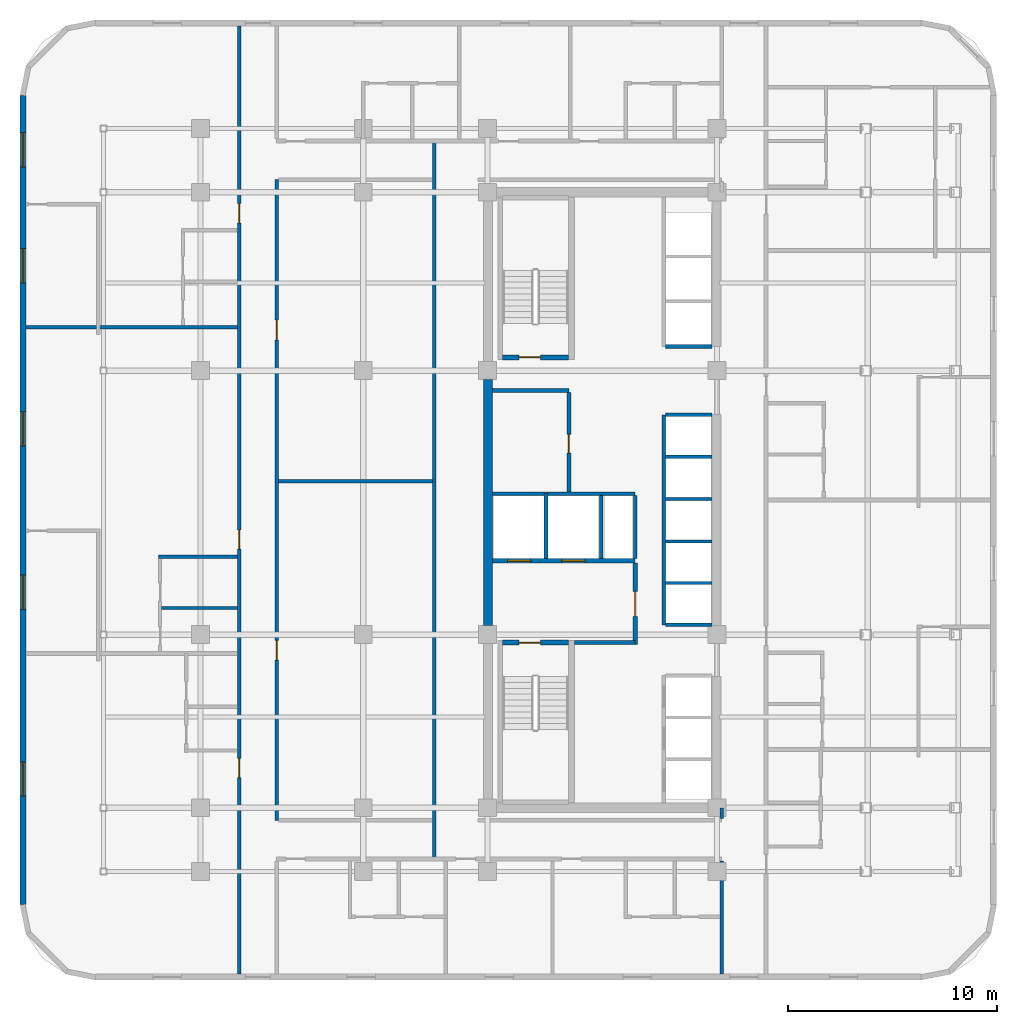
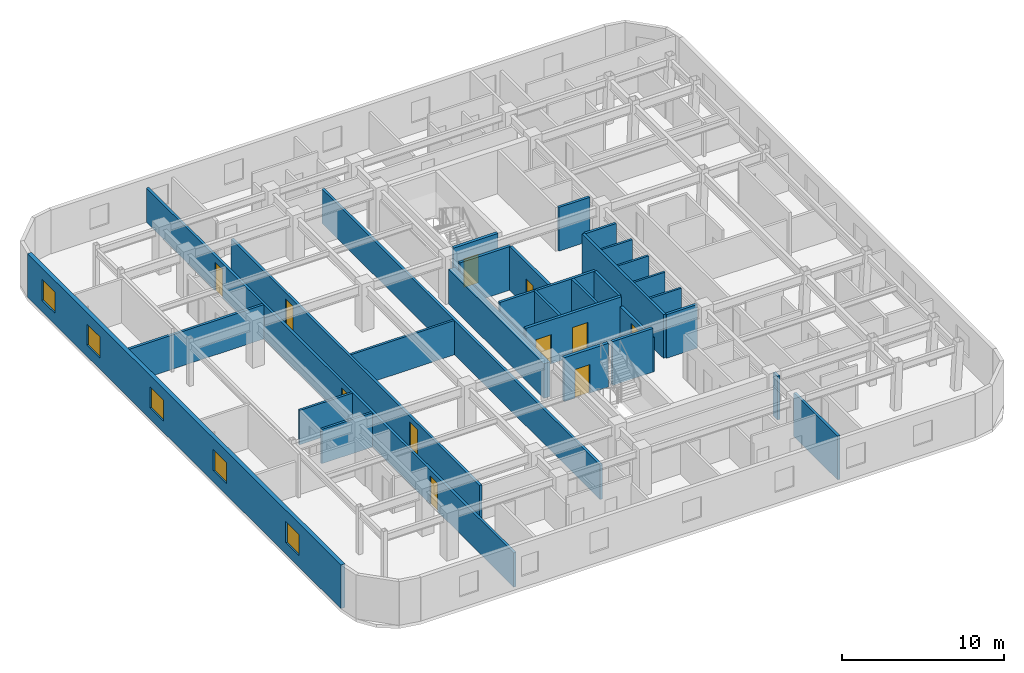
# One storey, part 7 of 11: 30 walls, 11 doors, 5 windows, 16 openings.
"""IFC4 building model written with IfcOpenShell, lengths in metres."""

from ifc_helpers import new_model, si_unit, direction, frame, frame_2d, origin, place, context, subcontext, project, spatial, rectangle, extrude, material, layer, layer_set, type_object, element, fill, save


model = new_model("IFC4")

# Units and contexts
model_context = context("Model", 3, precision=1e-05, world=origin(), true_north=direction((0.0, 1.0)))
body_context = subcontext(model_context, "Body", "Model", "MODEL_VIEW")
ifc_project = project(units=[si_unit("LENGTHUNIT", "METRE"), si_unit("AREAUNIT", "SQUARE_METRE"), si_unit("VOLUMEUNIT", "CUBIC_METRE"), si_unit("PLANEANGLEUNIT", "RADIAN"), si_unit("MASSUNIT", "GRAM", prefix="KILO")], contexts=[model_context])

# Site, building, storey
site_placement = place(None, origin())
site = spatial("IfcSite", under=ifc_project, at=site_placement, CompositionType="ELEMENT")
building_placement = place(site_placement, origin())
building = spatial("IfcBuilding", under=site, at=building_placement, Name="Ochreholt Gables", CompositionType="ELEMENT")
storey_placement = place(building_placement, frame((0.0, 0.0, 67.800048828125)))
storey = spatial("IfcBuildingStorey", under=building, at=storey_placement, Name="L17", CompositionType="ELEMENT", Elevation=67.800048828125)

# Wall
ifc_material_1 = material(Name="Concrete 60 MPa", Category="concrete")
ifc_layer_1 = layer(ifc_material_1, 0.449951171875, Name="Concrete 60 MPa")
ifc_layer_set_1 = layer_set([ifc_layer_1], Name="Concrete 60 MPa")
wall_type_1 = type_object("IfcWallType", Name="WALL-CSW-450", PredefinedType="SHEAR", material=ifc_layer_set_1)
wall_1_placement = place(storey_placement, frame((24.22509765625, 17.97509765625, 0.0), z_axis=(0.0, 0.0, 1.0), x_axis=(0.0, 1.0, 0.0)))
element("IfcWall", 1, at=wall_1_placement, inside=storey, type_object=wall_type_1, Name="L17 Core West Shear Wall WM", PredefinedType="SHEAR", context=body_context, shape_type="SweptSolid", body=[
    extrude(rectangle(XDim=11.7998046875, YDim=0.449951171875, at=frame_2d((5.89990234375, 0.0))), origin(), (0.0, 0.0, 1.0), 2.60693359375),
])

# Wall, openings, windows
ifc_material_2 = material(Name="Precast concrete 40 MPa", Category="concrete")
ifc_layer_2 = layer(ifc_material_2, 0.2900390625, Name="Precast concrete 40 MPa")
ifc_layer_set_2 = layer_set([ifc_layer_2], Name="Precast concrete 40 MPa")
wall_type_2 = type_object("IfcWallType", Name="WALL-EXT-290", PredefinedType="SOLIDWALL", material=ifc_layer_set_2)
wall_2_placement = place(storey_placement, frame((1.945068359375, 43.3798828125, 0.0), z_axis=(0.0, 0.0, 1.0), x_axis=(0.0, -1.0, 0.0)))
wall_2 = element("IfcWall", 2, at=wall_2_placement, inside=storey, type_object=wall_type_2, Name="L17 West Exterior Wall", PredefinedType="SOLIDWALL", context=body_context, shape_type="SweptSolid", body=[
    extrude(rectangle(XDim=38.759765625, YDim=0.2900390625, at=frame_2d((19.3798828125, 0.0))), origin(), (0.0, 0.0, 1.0), 3.300048828125),
])
opening_1_placement = place(wall_2_placement, frame((31.925048828125, 0.0, 0.85009765625)))
opening_1 = element("IfcOpeningElement", 3, at=opening_1_placement, cuts=wall_2, Name="Opening WN-7", PredefinedType="OPENING", context=body_context, shape_type="SweptSolid", body=[
    extrude(rectangle(XDim=1.64990234375, YDim=1.60009765625, at=frame_2d((0.824951171875, 0.800048828125))), frame((0.0, 0.155029296875, 0.0), z_axis=(0.0, -1.0, 0.0), x_axis=(1.0, 0.0, 0.0)), (0.0, 0.0, 1.0), 0.31005859375),
])
opening_2_placement = place(wall_2_placement, frame((22.969970703125, 0.0, 0.85009765625)))
opening_2 = element("IfcOpeningElement", 4, at=opening_2_placement, cuts=wall_2, Name="Opening WN-7", PredefinedType="OPENING", context=body_context, shape_type="SweptSolid", body=[
    extrude(rectangle(XDim=1.64990234375, YDim=1.60009765625, at=frame_2d((0.824951171875, 0.800048828125))), frame((0.0, 0.155029296875, 0.0), z_axis=(0.0, -1.0, 0.0), x_axis=(1.0, 0.0, 0.0)), (0.0, 0.0, 1.0), 0.31005859375),
])
opening_3_placement = place(wall_2_placement, frame((15.14990234375, 0.0, 0.85009765625)))
opening_3 = element("IfcOpeningElement", 5, at=opening_3_placement, cuts=wall_2, Name="Opening WN-7", PredefinedType="OPENING", context=body_context, shape_type="SweptSolid", body=[
    extrude(rectangle(XDim=1.64990234375, YDim=1.60009765625, at=frame_2d((0.824951171875, 0.800048828125))), frame((0.0, 0.155029296875, 0.0), z_axis=(0.0, -1.0, 0.0), x_axis=(1.0, 0.0, 0.0)), (0.0, 0.0, 1.0), 0.31005859375),
])
opening_4_placement = place(wall_2_placement, frame((7.330078125, 0.0, 0.85009765625)))
opening_4 = element("IfcOpeningElement", 6, at=opening_4_placement, cuts=wall_2, Name="Opening WN-7", PredefinedType="OPENING", context=body_context, shape_type="SweptSolid", body=[
    extrude(rectangle(XDim=1.64990234375, YDim=1.60009765625, at=frame_2d((0.824951171875, 0.800048828125))), frame((0.0, 0.155029296875, 0.0), z_axis=(0.0, -1.0, 0.0), x_axis=(1.0, 0.0, 0.0)), (0.0, 0.0, 1.0), 0.31005859375),
])
opening_5_placement = place(wall_2_placement, frame((1.780029296875, 0.0, 0.85009765625)))
opening_5 = element("IfcOpeningElement", 7, at=opening_5_placement, cuts=wall_2, Name="Opening WN-7", PredefinedType="OPENING", context=body_context, shape_type="SweptSolid", body=[
    extrude(rectangle(XDim=1.64990234375, YDim=1.60009765625, at=frame_2d((0.824951171875, 0.800048828125))), frame((0.0, 0.155029296875, 0.0), z_axis=(0.0, -1.0, 0.0), x_axis=(1.0, 0.0, 0.0)), (0.0, 0.0, 1.0), 0.31005859375),
])
ifc_material_3 = material(Name="Triple-Glazed Thermally Broken Aluminium Window", Category="aluminium")
window_type = type_object("IfcWindowType", Name="WIN-RES-1650", PartitioningType="SINGLE_PANEL", PredefinedType="WINDOW", material=ifc_material_3)
window_1_placement = place(opening_1_placement, origin())
window_1 = element("IfcWindow", 8, at=window_1_placement, inside=storey, type_object=window_type, Name="L17 Window W-EXT-W-L17-1", OverallHeight=1.60009765625, OverallWidth=1.64990234375, PartitioningType="SINGLE_PANEL", PredefinedType="WINDOW", context=body_context, shape_type="SweptSolid", body=[
    extrude(rectangle(XDim=1.64990234375, YDim=1.60009765625, at=frame_2d((0.824951171875, 0.800048828125))), frame((0.0, 0.030029296875, 0.0), z_axis=(0.0, -1.0, 0.0), x_axis=(1.0, 0.0, 0.0)), (0.0, 0.0, 1.0), 0.06005859375),
])
fill(opening_1, window_1)
window_2_placement = place(opening_2_placement, origin())
window_2 = element("IfcWindow", 9, at=window_2_placement, inside=storey, type_object=window_type, Name="L17 Window W-EXT-W-L17-2", OverallHeight=1.60009765625, OverallWidth=1.64990234375, PartitioningType="SINGLE_PANEL", PredefinedType="WINDOW", context=body_context, shape_type="SweptSolid", body=[
    extrude(rectangle(XDim=1.64990234375, YDim=1.60009765625, at=frame_2d((0.824951171875, 0.800048828125))), frame((0.0, 0.030029296875, 0.0), z_axis=(0.0, -1.0, 0.0), x_axis=(1.0, 0.0, 0.0)), (0.0, 0.0, 1.0), 0.06005859375),
])
fill(opening_2, window_2)
window_3_placement = place(opening_3_placement, origin())
window_3 = element("IfcWindow", 10, at=window_3_placement, inside=storey, type_object=window_type, Name="L17 Window W-EXT-W-L17-3", OverallHeight=1.60009765625, OverallWidth=1.64990234375, PartitioningType="SINGLE_PANEL", PredefinedType="WINDOW", context=body_context, shape_type="SweptSolid", body=[
    extrude(rectangle(XDim=1.64990234375, YDim=1.60009765625, at=frame_2d((0.824951171875, 0.800048828125))), frame((0.0, 0.030029296875, 0.0), z_axis=(0.0, -1.0, 0.0), x_axis=(1.0, 0.0, 0.0)), (0.0, 0.0, 1.0), 0.06005859375),
])
fill(opening_3, window_3)
window_4_placement = place(opening_4_placement, origin())
window_4 = element("IfcWindow", 11, at=window_4_placement, inside=storey, type_object=window_type, Name="L17 Window W-EXT-W-L17-4", OverallHeight=1.60009765625, OverallWidth=1.64990234375, PartitioningType="SINGLE_PANEL", PredefinedType="WINDOW", context=body_context, shape_type="SweptSolid", body=[
    extrude(rectangle(XDim=1.64990234375, YDim=1.60009765625, at=frame_2d((0.824951171875, 0.800048828125))), frame((0.0, 0.030029296875, 0.0), z_axis=(0.0, -1.0, 0.0), x_axis=(1.0, 0.0, 0.0)), (0.0, 0.0, 1.0), 0.06005859375),
])
fill(opening_4, window_4)
window_5_placement = place(opening_5_placement, origin())
window_5 = element("IfcWindow", 12, at=window_5_placement, inside=storey, type_object=window_type, Name="L17 Window W-EXT-W-L17-5", OverallHeight=1.60009765625, OverallWidth=1.64990234375, PartitioningType="SINGLE_PANEL", PredefinedType="WINDOW", context=body_context, shape_type="SweptSolid", body=[
    extrude(rectangle(XDim=1.64990234375, YDim=1.60009765625, at=frame_2d((0.824951171875, 0.800048828125))), frame((0.0, 0.030029296875, 0.0), z_axis=(0.0, -1.0, 0.0), x_axis=(1.0, 0.0, 0.0)), (0.0, 0.0, 1.0), 0.06005859375),
])
fill(opening_5, window_5)

# Wall, openings, doors
ifc_material_4 = material(Name="Concrete 40 MPa", Category="concrete")
ifc_layer_3 = layer(ifc_material_4, 0.199951171875, Name="Concrete 40 MPa")
ifc_layer_set_3 = layer_set([ifc_layer_3], Name="Concrete 40 MPa")
wall_type_3 = type_object("IfcWallType", Name="WALL-INT-CF200", PredefinedType="STANDARD", material=ifc_layer_set_3)
wall_3_placement = place(storey_placement, frame((24.449951171875, 21.090087890625, 0.0), z_axis=(0.0, 0.0, 1.0), x_axis=(1.0, 0.0, 0.0)))
wall_3 = element("IfcWall", 13, at=wall_3_placement, inside=storey, type_object=wall_type_3, Name="L17 Interior Wall WI-FFN-L17", PredefinedType="STANDARD", context=body_context, shape_type="SweptSolid", body=[
    extrude(rectangle(XDim=6.830078125, YDim=0.199951171875, at=frame_2d((3.4150390625, 0.0))), origin(), (0.0, 0.0, 1.0), 3.300048828125),
])
opening_6_placement = place(wall_3_placement, frame((0.719970703125, 0.0, 0.0)))
opening_6 = element("IfcOpeningElement", 14, at=opening_6_placement, cuts=wall_3, Name="Opening LD-FF", PredefinedType="OPENING", context=body_context, shape_type="SweptSolid", body=[
    extrude(rectangle(XDim=1.10009765625, YDim=2.199951171875, at=frame_2d((0.550048828125, 1.10009765625))), frame((0.0, 0.10986328125, 0.0), z_axis=(0.0, -1.0, 0.0), x_axis=(1.0, 0.0, 0.0)), (0.0, 0.0, 1.0), 0.219970703125),
])
opening_7_placement = place(wall_3_placement, frame((3.320068359375, 0.0, 0.0)))
opening_7 = element("IfcOpeningElement", 15, at=opening_7_placement, cuts=wall_3, Name="Opening LD-FF", PredefinedType="OPENING", context=body_context, shape_type="SweptSolid", body=[
    extrude(rectangle(XDim=1.10009765625, YDim=2.199951171875, at=frame_2d((0.550048828125, 1.10009765625))), frame((0.0, 0.10986328125, 0.0), z_axis=(0.0, -1.0, 0.0), x_axis=(1.0, 0.0, 0.0)), (0.0, 0.0, 1.0), 0.219970703125),
])
ifc_material_5 = material(Name="Stainless Steel", Category="steel")
door_type_1 = type_object("IfcDoorType", Name="DR-LFT-FF1100", OperationType="NOTDEFINED", PredefinedType="DOOR", material=ifc_material_5)
door_1_placement = place(opening_6_placement, origin())
door_1 = element("IfcDoor", 16, at=door_1_placement, inside=storey, type_object=door_type_1, Name="L17 Door LD-FF1-L17", OperationType="SLIDING_TO_LEFT", OverallHeight=2.199951171875, OverallWidth=1.10009765625, PredefinedType="DOOR", context=body_context, shape_type="SweptSolid", body=[
    extrude(rectangle(XDim=1.10009765625, YDim=2.199951171875, at=frame_2d((0.550048828125, 1.10009765625))), frame((0.0, 0.02490234375, 0.0), z_axis=(0.0, -1.0, 0.0), x_axis=(1.0, 0.0, 0.0)), (0.0, 0.0, 1.0), 0.050048828125),
])
fill(opening_6, door_1)
door_2_placement = place(opening_7_placement, origin())
door_2 = element("IfcDoor", 17, at=door_2_placement, inside=storey, type_object=door_type_1, Name="L17 Door LD-FF2-L17", OperationType="SLIDING_TO_LEFT", OverallHeight=2.199951171875, OverallWidth=1.10009765625, PredefinedType="DOOR", context=body_context, shape_type="SweptSolid", body=[
    extrude(rectangle(XDim=1.10009765625, YDim=2.199951171875, at=frame_2d((0.550048828125, 1.10009765625))), frame((0.0, 0.02490234375, 0.0), z_axis=(0.0, -1.0, 0.0), x_axis=(1.0, 0.0, 0.0)), (0.0, 0.0, 1.0), 0.050048828125),
])
fill(opening_7, door_2)

# Wall
wall_4_placement = place(storey_placement, frame((28.3798828125, 17.169921875, 0.0), z_axis=(0.0, 0.0, 1.0), x_axis=(1.0, 0.0, 0.0)))
element("IfcWall", 18, at=wall_4_placement, inside=storey, type_object=wall_type_3, Name="L17 Interior Wall WI-FFS-L17", PredefinedType="STANDARD", context=body_context, shape_type="SweptSolid", body=[
    extrude(rectangle(XDim=2.900146484375, YDim=0.199951171875, at=frame_2d((1.4501953125, 0.0))), origin(), (0.0, 0.0, 1.0), 3.300048828125),
])

# Wall, opening, door
wall_5_placement = place(storey_placement, frame((31.280029296875, 17.070068359375, 0.0), z_axis=(0.0, 0.0, 1.0), x_axis=(0.0, 1.0, 0.0)))
wall_5 = element("IfcWall", 19, at=wall_5_placement, inside=storey, type_object=wall_type_3, Name="L17 Interior Wall WI-FFE-L17", PredefinedType="STANDARD", context=body_context, shape_type="SweptSolid", body=[
    extrude(rectangle(XDim=3.919921875, YDim=0.199951171875, at=frame_2d((1.9599609375, 0.0))), origin(), (0.0, 0.0, 1.0), 2.5888671875),
])
opening_8_placement = place(wall_5_placement, frame((1.35009765625, 0.0, 0.0)))
opening_8 = element("IfcOpeningElement", 20, at=opening_8_placement, cuts=wall_5, Name="Opening D-FFL", PredefinedType="OPENING", context=body_context, shape_type="SweptSolid", body=[
    extrude(rectangle(XDim=1.199951171875, YDim=2.14990234375, at=frame_2d((0.60009765625, 1.074951171875))), frame((0.0, 0.10986328125, 0.0), z_axis=(0.0, -1.0, 0.0), x_axis=(1.0, 0.0, 0.0)), (0.0, 0.0, 1.0), 0.219970703125),
])
ifc_material_6 = material(Name="Hollow Metal Steel", Category="steel")
door_type_2 = type_object("IfcDoorType", Name="DR-INT-FFL1200", OperationType="NOTDEFINED", PredefinedType="DOOR", material=ifc_material_6)
door_3_placement = place(opening_8_placement, origin())
door_3 = element("IfcDoor", 21, at=door_3_placement, inside=storey, type_object=door_type_2, Name="L17 Door D-FFL-L17", OperationType="SINGLE_SWING_LEFT", OverallHeight=2.14990234375, OverallWidth=1.199951171875, PredefinedType="DOOR", context=body_context, shape_type="SweptSolid", body=[
    extrude(rectangle(XDim=1.199951171875, YDim=2.14990234375, at=frame_2d((0.60009765625, 1.074951171875))), frame((0.0, 0.02490234375, 0.0), z_axis=(0.0, -1.0, 0.0), x_axis=(1.0, 0.0, 0.0)), (0.0, 0.0, 1.0), 0.050048828125),
])
fill(opening_8, door_3)

# Wall
wall_6_placement = place(storey_placement, frame((24.449951171875, 29.239990234375, 0.0), z_axis=(0.0, 0.0, 1.0), x_axis=(1.0, 0.0, 0.0)))
element("IfcWall", 22, at=wall_6_placement, inside=storey, type_object=wall_type_3, Name="L17 Interior Wall WI-SRVN-L17", PredefinedType="STANDARD", context=body_context, shape_type="SweptSolid", body=[
    extrude(rectangle(XDim=3.650146484375, YDim=0.199951171875, at=frame_2d((1.8251953125, 0.0))), origin(), (0.0, 0.0, 1.0), 3.300048828125),
])

# Wall, opening, door
wall_7_placement = place(storey_placement, frame((28.10009765625, 24.389892578125, 0.0), z_axis=(0.0, 0.0, 1.0), x_axis=(0.0, 1.0, 0.0)))
wall_7 = element("IfcWall", 23, at=wall_7_placement, inside=storey, type_object=wall_type_3, Name="L17 Interior Wall WI-SRVE-L17", PredefinedType="STANDARD", context=body_context, shape_type="SweptSolid", body=[
    extrude(rectangle(XDim=4.75, YDim=0.199951171875, at=frame_2d((2.375, 0.0))), origin(), (0.0, 0.0, 1.0), 3.300048828125),
])
opening_9_placement = place(wall_7_placement, frame((1.860107421875, 0.0, 0.0)))
opening_9 = element("IfcOpeningElement", 24, at=opening_9_placement, cuts=wall_7, Name="Opening D-SV1", PredefinedType="OPENING", context=body_context, shape_type="SweptSolid", body=[
    extrude(rectangle(XDim=0.89990234375, YDim=2.10009765625, at=frame_2d((0.449951171875, 1.050048828125))), frame((0.0, 0.10986328125, 0.0), z_axis=(0.0, -1.0, 0.0), x_axis=(1.0, 0.0, 0.0)), (0.0, 0.0, 1.0), 0.219970703125),
])
door_type_3 = type_object("IfcDoorType", Name="DR-INT-SRV900", OperationType="NOTDEFINED", PredefinedType="DOOR", material=ifc_material_6)
door_4_placement = place(opening_9_placement, origin())
door_4 = element("IfcDoor", 25, at=door_4_placement, inside=storey, type_object=door_type_3, Name="L17 Door D-SRV1-L17", OperationType="SINGLE_SWING_LEFT", OverallHeight=2.10009765625, OverallWidth=0.89990234375, PredefinedType="DOOR", context=body_context, shape_type="SweptSolid", body=[
    extrude(rectangle(XDim=0.89990234375, YDim=2.10009765625, at=frame_2d((0.449951171875, 1.050048828125))), frame((0.0, 0.02490234375, 0.0), z_axis=(0.0, -1.0, 0.0), x_axis=(1.0, 0.0, 0.0)), (0.0, 0.0, 1.0), 0.050048828125),
])
fill(opening_9, door_4)

# Walls
ifc_material_7 = material(Name="Fire-Rated Gypsum Acoustic Partition", Category="gypsum")
ifc_layer_4 = layer(ifc_material_7, 0.179931640625, Name="Fire-Rated Gypsum Acoustic Partition")
ifc_layer_set_4 = layer_set([ifc_layer_4], Name="Fire-Rated Gypsum Acoustic Partition")
wall_type_4 = type_object("IfcWallType", Name="WALL-INT-CR180", PredefinedType="STANDARD", material=ifc_layer_set_4)
wall_8_placement = place(storey_placement, frame((21.64990234375, 6.800048828125, 0.0), z_axis=(0.0, 0.0, 1.0), x_axis=(0.0, 1.0, 0.0)))
element("IfcWall", 26, at=wall_8_placement, inside=storey, type_object=wall_type_4, Name="L17 Interior Wall WI-C1W-L17", PredefinedType="STANDARD", context=body_context, shape_type="SweptSolid", body=[
    extrude(rectangle(XDim=34.39990234375, YDim=0.179931640625, at=frame_2d((17.199951171875, 0.0))), origin(), (0.0, 0.0, 1.0), 2.5888671875),
])
wall_9_placement = place(storey_placement, frame((35.419921875, 8.739990234375, 0.0), z_axis=(0.0, 0.0, 1.0), x_axis=(0.0, 1.0, 0.0)))
element("IfcWall", 27, at=wall_9_placement, inside=storey, type_object=wall_type_4, Name="L17 Interior Wall WI-C1ESW2-L17", PredefinedType="STANDARD", context=body_context, shape_type="SweptSolid", body=[
    extrude(rectangle(XDim=0.510009765625, YDim=0.179931640625, at=frame_2d((0.2548828125, 0.0))), origin(), (0.0, 0.0, 1.0), 3.300048828125),
])

# Wall, openings, doors
wall_10_placement = place(storey_placement, frame((12.300048828125, 1.2900390625, 0.0), z_axis=(0.0, 0.0, 1.0), x_axis=(0.0, 1.0, 0.0)))
wall_10 = element("IfcWall", 28, at=wall_10_placement, inside=storey, type_object=wall_type_4, Name="L17 Interior Wall WI-C1WW-L17", PredefinedType="STANDARD", context=body_context, shape_type="SweptSolid", body=[
    extrude(rectangle(XDim=45.419921875, YDim=0.179931640625, at=frame_2d((22.7099609375, 0.0))), origin(), (0.0, 0.0, 1.0), 2.5888671875),
])
opening_10_placement = place(wall_10_placement, frame((9.409912109375, 0.0, 0.0)))
opening_10 = element("IfcOpeningElement", 29, at=opening_10_placement, cuts=wall_10, Name="Opening D-UN1", PredefinedType="OPENING", context=body_context, shape_type="SweptSolid", body=[
    extrude(rectangle(XDim=0.919921875, YDim=2.14990234375, at=frame_2d((0.4599609375, 1.074951171875))), frame((0.0, 0.099853515625, 0.0), z_axis=(0.0, -1.0, 0.0), x_axis=(1.0, 0.0, 0.0)), (0.0, 0.0, 1.0), 0.199951171875),
])
opening_11_placement = place(wall_10_placement, frame((20.35009765625, 0.0, 0.0)))
opening_11 = element("IfcOpeningElement", 30, at=opening_11_placement, cuts=wall_10, Name="Opening D-UN1", PredefinedType="OPENING", context=body_context, shape_type="SweptSolid", body=[
    extrude(rectangle(XDim=0.919921875, YDim=2.14990234375, at=frame_2d((0.4599609375, 1.074951171875))), frame((0.0, 0.099853515625, 0.0), z_axis=(0.0, -1.0, 0.0), x_axis=(1.0, 0.0, 0.0)), (0.0, 0.0, 1.0), 0.199951171875),
])
opening_12_placement = place(wall_10_placement, frame((35.989990234375, 0.0, 0.0)))
opening_12 = element("IfcOpeningElement", 31, at=opening_12_placement, cuts=wall_10, Name="Opening D-UN1", PredefinedType="OPENING", context=body_context, shape_type="SweptSolid", body=[
    extrude(rectangle(XDim=0.919921875, YDim=2.14990234375, at=frame_2d((0.4599609375, 1.074951171875))), frame((0.0, 0.099853515625, 0.0), z_axis=(0.0, -1.0, 0.0), x_axis=(1.0, 0.0, 0.0)), (0.0, 0.0, 1.0), 0.199951171875),
])
ifc_material_8 = material(Name="Engineered Oak Timber", Category="wood")
door_type_4 = type_object("IfcDoorType", Name="DR-INT-UNT920", OperationType="NOTDEFINED", PredefinedType="DOOR", material=ifc_material_8)
door_5_placement = place(opening_10_placement, origin())
door_5 = element("IfcDoor", 32, at=door_5_placement, inside=storey, type_object=door_type_4, Name="L17 Door D-U-L17W1-ENT", OperationType="SINGLE_SWING_RIGHT", OverallHeight=2.14990234375, OverallWidth=0.919921875, PredefinedType="DOOR", context=body_context, shape_type="SweptSolid", body=[
    extrude(rectangle(XDim=0.919921875, YDim=2.14990234375, at=frame_2d((0.4599609375, 1.074951171875))), frame((0.0, 0.02490234375, 0.0), z_axis=(0.0, -1.0, 0.0), x_axis=(1.0, 0.0, 0.0)), (0.0, 0.0, 1.0), 0.050048828125),
])
fill(opening_10, door_5)
door_6_placement = place(opening_11_placement, origin())
door_6 = element("IfcDoor", 33, at=door_6_placement, inside=storey, type_object=door_type_4, Name="L17 Door D-U-L17W2-ENT", OperationType="SINGLE_SWING_LEFT", OverallHeight=2.14990234375, OverallWidth=0.919921875, PredefinedType="DOOR", context=body_context, shape_type="SweptSolid", body=[
    extrude(rectangle(XDim=0.919921875, YDim=2.14990234375, at=frame_2d((0.4599609375, 1.074951171875))), frame((0.0, 0.02490234375, 0.0), z_axis=(0.0, -1.0, 0.0), x_axis=(1.0, 0.0, 0.0)), (0.0, 0.0, 1.0), 0.050048828125),
])
fill(opening_11, door_6)
door_7_placement = place(opening_12_placement, origin())
door_7 = element("IfcDoor", 34, at=door_7_placement, inside=storey, type_object=door_type_4, Name="L17 Door D-U-L17W3-ENT", OperationType="SINGLE_SWING_RIGHT", OverallHeight=2.14990234375, OverallWidth=0.919921875, PredefinedType="DOOR", context=body_context, shape_type="SweptSolid", body=[
    extrude(rectangle(XDim=0.919921875, YDim=2.14990234375, at=frame_2d((0.4599609375, 1.074951171875))), frame((0.0, 0.02490234375, 0.0), z_axis=(0.0, -1.0, 0.0), x_axis=(1.0, 0.0, 0.0)), (0.0, 0.0, 1.0), 0.050048828125),
])
fill(opening_12, door_7)

wall_11_placement = place(storey_placement, frame((14.10009765625, 8.64990234375, 0.0), z_axis=(0.0, 0.0, 1.0), x_axis=(0.0, 1.0, 0.0)))
wall_11 = element("IfcWall", 35, at=wall_11_placement, inside=storey, type_object=wall_type_4, Name="L17 Interior Wall WI-C1WE-L17", PredefinedType="STANDARD", context=body_context, shape_type="SweptSolid", body=[
    extrude(rectangle(XDim=30.7001953125, YDim=0.179931640625, at=frame_2d((15.35009765625, 0.0))), origin(), (0.0, 0.0, 1.0), 2.5888671875),
])
opening_13_placement = place(wall_11_placement, frame((7.675048828125, 0.0, 0.0)))
opening_13 = element("IfcOpeningElement", 36, at=opening_13_placement, cuts=wall_11, Name="Opening D-GN1", PredefinedType="OPENING", context=body_context, shape_type="SweptSolid", body=[
    extrude(rectangle(XDim=0.949951171875, YDim=2.14990234375, at=frame_2d((0.47509765625, 1.074951171875))), frame((0.0, 0.099853515625, 0.0), z_axis=(0.0, -1.0, 0.0), x_axis=(1.0, 0.0, 0.0)), (0.0, 0.0, 1.0), 0.199951171875),
])
opening_14_placement = place(wall_11_placement, frame((23.02490234375, 0.0, 0.0)))
opening_14 = element("IfcOpeningElement", 37, at=opening_14_placement, cuts=wall_11, Name="Opening D-GN1", PredefinedType="OPENING", context=body_context, shape_type="SweptSolid", body=[
    extrude(rectangle(XDim=0.949951171875, YDim=2.14990234375, at=frame_2d((0.47509765625, 1.074951171875))), frame((0.0, 0.099853515625, 0.0), z_axis=(0.0, -1.0, 0.0), x_axis=(1.0, 0.0, 0.0)), (0.0, 0.0, 1.0), 0.199951171875),
])
door_type_5 = type_object("IfcDoorType", Name="DR-INT-GEN950", OperationType="NOTDEFINED", PredefinedType="DOOR", material=ifc_material_8)
door_8_placement = place(opening_13_placement, origin())
door_8 = element("IfcDoor", 38, at=door_8_placement, inside=storey, type_object=door_type_5, Name="L17 Door D-C1IW1-L17", OperationType="SINGLE_SWING_LEFT", OverallHeight=2.14990234375, OverallWidth=0.949951171875, PredefinedType="DOOR", context=body_context, shape_type="SweptSolid", body=[
    extrude(rectangle(XDim=0.949951171875, YDim=2.14990234375, at=frame_2d((0.47509765625, 1.074951171875))), frame((0.0, 0.02490234375, 0.0), z_axis=(0.0, -1.0, 0.0), x_axis=(1.0, 0.0, 0.0)), (0.0, 0.0, 1.0), 0.050048828125),
])
fill(opening_13, door_8)
door_9_placement = place(opening_14_placement, origin())
door_9 = element("IfcDoor", 39, at=door_9_placement, inside=storey, type_object=door_type_5, Name="L17 Door D-C1IW2-L17", OperationType="SINGLE_SWING_RIGHT", OverallHeight=2.14990234375, OverallWidth=0.949951171875, PredefinedType="DOOR", context=body_context, shape_type="SweptSolid", body=[
    extrude(rectangle(XDim=0.949951171875, YDim=2.14990234375, at=frame_2d((0.47509765625, 1.074951171875))), frame((0.0, 0.02490234375, 0.0), z_axis=(0.0, -1.0, 0.0), x_axis=(1.0, 0.0, 0.0)), (0.0, 0.0, 1.0), 0.050048828125),
])
fill(opening_14, door_9)

# Walls
ifc_material_9 = material(Name="Double-Stud Acoustic Demising Wall", Category="gypsum")
ifc_layer_5 = layer(ifc_material_9, 0.179931640625, Name="Double-Stud Acoustic Demising Wall")
ifc_layer_set_5 = layer_set([ifc_layer_5], Name="Double-Stud Acoustic Demising Wall")
wall_type_5 = type_object("IfcWallType", Name="WALL-INT-DM180", PredefinedType="PARTITIONING", material=ifc_layer_set_5)
wall_12_placement = place(storey_placement, frame((35.419921875, 1.2900390625, 0.0), z_axis=(0.0, 0.0, 1.0), x_axis=(0.0, 1.0, 0.0)))
element("IfcWall", 40, at=wall_12_placement, inside=storey, type_object=wall_type_5, Name="L17 Interior Wall WI-C1ESW-L17", PredefinedType="PARTITIONING", context=body_context, shape_type="SweptSolid", body=[
    extrude(rectangle(XDim=5.419921875, YDim=0.179931640625, at=frame_2d((2.7099609375, 0.0))), origin(), (0.0, 0.0, 1.0), 3.300048828125),
])
wall_13_placement = place(storey_placement, frame((2.090087890625, 32.280029296875, 0.0), z_axis=(0.0, 0.0, 1.0), x_axis=(1.0, 0.0, 0.0)))
element("IfcWall", 41, at=wall_13_placement, inside=storey, type_object=wall_type_5, Name="L17 Interior Wall WI-UDW3-L17", PredefinedType="PARTITIONING", context=body_context, shape_type="SweptSolid", body=[
    extrude(rectangle(XDim=10.119873046875, YDim=0.179931640625, at=frame_2d((5.06005859375, 0.0))), origin(), (0.0, 0.0, 1.0), 2.5888671875),
])
ifc_material_10 = material(Name="Moisture-Resistant Plumbing Chase Wall", Category="gypsum")
ifc_layer_6 = layer(ifc_material_10, 0.159912109375, Name="Moisture-Resistant Plumbing Chase Wall")
ifc_layer_set_6 = layer_set([ifc_layer_6], Name="Moisture-Resistant Plumbing Chase Wall")
wall_type_6 = type_object("IfcWallType", Name="WALL-INT-PL160", PredefinedType="PLUMBINGWALL", material=ifc_layer_set_6)
wall_14_placement = place(storey_placement, frame((8.429931640625, 21.280029296875, 0.0), z_axis=(0.0, 0.0, 1.0), x_axis=(1.0, 0.0, 0.0)))
element("IfcWall", 42, at=wall_14_placement, inside=storey, type_object=wall_type_6, Name="L17 Interior Wall WU-L17W2-WYN", PredefinedType="PLUMBINGWALL", context=body_context, shape_type="SweptSolid", body=[
    extrude(rectangle(XDim=3.780029296875, YDim=0.159912109375, at=frame_2d((1.89013671875, 0.0))), origin(), (0.0, 0.0, 1.0), 2.5888671875),
])
wall_15_placement = place(storey_placement, frame((8.590087890625, 18.822998046875, 0.0), z_axis=(0.0, 0.0, 1.0), x_axis=(1.0, 0.0, 0.0)))
element("IfcWall", 43, at=wall_15_placement, inside=storey, type_object=wall_type_6, Name="L17 Interior Wall WU-L17W2-WM", PredefinedType="PLUMBINGWALL", context=body_context, shape_type="SweptSolid", body=[
    extrude(rectangle(XDim=3.619873046875, YDim=0.159912109375, at=frame_2d((1.81005859375, 0.0))), origin(), (0.0, 0.0, 1.0), 2.5888671875),
])
ifc_material_11 = material(Name="Gypsum Acoustic Stud Partition", Category="gypsum")
ifc_layer_7 = layer(ifc_material_11, 0.159912109375, Name="Gypsum Acoustic Stud Partition")
ifc_layer_set_7 = layer_set([ifc_layer_7], Name="Gypsum Acoustic Stud Partition")
wall_type_7 = type_object("IfcWallType", Name="WALL-INT-PT160", PredefinedType="PARTITIONING", material=ifc_layer_set_7)
wall_16_placement = place(storey_placement, frame((14.18994140625, 24.89990234375, 0.0), z_axis=(0.0, 0.0, 1.0), x_axis=(1.0, 0.0, 0.0)))
element("IfcWall", 44, at=wall_16_placement, inside=storey, type_object=wall_type_7, Name="L17 Interior Wall WI-UDWI1-L17", PredefinedType="PARTITIONING", context=body_context, shape_type="SweptSolid", body=[
    extrude(rectangle(XDim=7.3701171875, YDim=0.159912109375, at=frame_2d((3.68505859375, 0.0))), origin(), (0.0, 0.0, 1.0), 2.5888671875),
])
ifc_material_12 = material(Name="Gypsum Shaftliner and Steel Stud", Category="steel")
ifc_layer_8 = layer(ifc_material_12, 0.14990234375, Name="Gypsum Shaftliner and Steel Stud")
ifc_layer_set_8 = layer_set([ifc_layer_8], Name="Gypsum Shaftliner and Steel Stud")
wall_type_8 = type_object("IfcWallType", Name="WALL-INT-SH150", PredefinedType="STANDARD", material=ifc_layer_set_8)
for number, where, z_axis, x_axis, name in (
    (45, (32.739990234375, 20.02001953125, 0.0), (0.0, 0.0, 1.0), (1.0, 0.0, 0.0), "L17 Interior Wall WI-LFHE-DH1-L17"),
    (46, (32.739990234375, 22.02001953125, 0.0), (0.0, 0.0, 1.0), (1.0, 0.0, 0.0), "L17 Interior Wall WI-LFHE-DH2-L17"),
    (47, (32.739990234375, 24.050048828125, 0.0), (0.0, 0.0, 1.0), (1.0, 0.0, 0.0), "L17 Interior Wall WI-LFHE-DHE-L17"),
    (48, (32.739990234375, 26.070068359375, 0.0), (0.0, 0.0, 1.0), (1.0, 0.0, 0.0), "L17 Interior Wall WI-LFHE-DEX1-L17"),
):
    element("IfcWall", number, at=place(storey_placement, frame(where, z_axis=z_axis, x_axis=x_axis)), inside=storey, type_object=wall_type_8, Name=name, PredefinedType="STANDARD", context=body_context, shape_type="SweptSolid", body=[
        extrude(rectangle(XDim=2.2099609375, YDim=0.14990234375, at=frame_2d((1.10498046875, 0.0))), origin(), (0.0, 0.0, 1.0), 3.300048828125),
    ])
ifc_layer_9 = layer(ifc_material_12, 0.179931640625, Name="Gypsum Shaftliner and Steel Stud")
ifc_layer_set_9 = layer_set([ifc_layer_9], Name="Gypsum Shaftliner and Steel Stud")
wall_type_9 = type_object("IfcWallType", Name="WALL-INT-SH180", PredefinedType="STANDARD", material=ifc_layer_set_9)
wall_17_placement = place(storey_placement, frame((27.0, 21.18994140625, 0.0), z_axis=(0.0, 0.0, 1.0), x_axis=(0.0, 1.0, 0.0)))
element("IfcWall", 49, at=wall_17_placement, inside=storey, type_object=wall_type_9, Name="L17 Interior Wall WI-FFDIV-L17", PredefinedType="STANDARD", context=body_context, shape_type="SweptSolid", body=[
    extrude(rectangle(XDim=3.110107421875, YDim=0.179931640625, at=frame_2d((1.55517578125, 0.0))), origin(), (0.0, 0.0, 1.0), 3.300048828125),
])
wall_18_placement = place(storey_placement, frame((24.449951171875, 24.300048828125, 0.0), z_axis=(0.0, 0.0, 1.0), x_axis=(1.0, 0.0, 0.0)))
element("IfcWall", 50, at=wall_18_placement, inside=storey, type_object=wall_type_9, Name="L17 Interior Wall WI-FFBK-L17", PredefinedType="STANDARD", context=body_context, shape_type="SweptSolid", body=[
    extrude(rectangle(XDim=6.830078125, YDim=0.179931640625, at=frame_2d((3.4150390625, 0.0))), origin(), (0.0, 0.0, 1.0), 3.300048828125),
])
for number, where, z_axis, x_axis, name in (
    (51, (29.64990234375, 21.18994140625, 0.0), (0.0, 0.0, 1.0), (0.0, 1.0, 0.0), "L17 Interior Wall WI-FFSH-L17"),
    (52, (31.280029296875, 21.18994140625, 0.0), (0.0, 0.0, 1.0), (0.0, 1.0, 0.0), "L17 Interior Wall WI-RSE-L17"),
):
    element("IfcWall", number, at=place(storey_placement, frame(where, z_axis=z_axis, x_axis=x_axis)), inside=storey, type_object=wall_type_9, Name=name, PredefinedType="STANDARD", context=body_context, shape_type="SweptSolid", body=[
        extrude(rectangle(XDim=3.02001953125, YDim=0.179931640625, at=frame_2d((1.510009765625, 0.0))), origin(), (0.0, 0.0, 1.0), 3.300048828125),
    ])
wall_19_placement = place(storey_placement, frame((32.64990234375, 18.02001953125, 0.0), z_axis=(0.0, 0.0, 1.0), x_axis=(0.0, 1.0, 0.0)))
element("IfcWall", 53, at=wall_19_placement, inside=storey, type_object=wall_type_9, Name="L17 Interior Wall WI-LFHE-FR-L17", PredefinedType="STANDARD", context=body_context, shape_type="SweptSolid", body=[
    extrude(rectangle(XDim=10.06005859375, YDim=0.179931640625, at=frame_2d((5.030029296875, 0.0))), origin(), (0.0, 0.0, 1.0), 3.300048828125),
])
for number, where, z_axis, x_axis, name in (
    (54, (32.739990234375, 18.02001953125, 0.0), (0.0, 0.0, 1.0), (1.0, 0.0, 0.0), "L17 Interior Wall WI-LFHE-S-L17"),
    (55, (32.739990234375, 28.080078125, 0.0), (0.0, 0.0, 1.0), (1.0, 0.0, 0.0), "L17 Interior Wall WI-LFHE-N-L17"),
    (56, (32.739990234375, 31.35009765625, 0.0), (0.0, 0.0, 1.0), (1.0, 0.0, 0.0), "L17 Interior Wall WI-LFM-S-L17"),
):
    element("IfcWall", number, at=place(storey_placement, frame(where, z_axis=z_axis, x_axis=x_axis)), inside=storey, type_object=wall_type_9, Name=name, PredefinedType="STANDARD", context=body_context, shape_type="SweptSolid", body=[
        extrude(rectangle(XDim=2.2099609375, YDim=0.179931640625, at=frame_2d((1.10498046875, 0.0))), origin(), (0.0, 0.0, 1.0), 3.300048828125),
    ])

# Wall, opening, door
ifc_material_13 = material(Name="Concrete 50 MPa", Category="concrete")
ifc_layer_10 = layer(ifc_material_13, 0.219970703125, Name="Concrete 50 MPa")
ifc_layer_set_10 = layer_set([ifc_layer_10], Name="Concrete 50 MPa")
wall_type_10 = type_object("IfcWallType", Name="WALL-STW-220", PredefinedType="SHEAR", material=ifc_layer_set_10)
wall_20_placement = place(storey_placement, frame((24.919921875, 17.169921875, 0.0), z_axis=(0.0, 0.0, 1.0), x_axis=(1.0, 0.0, 0.0)))
wall_20 = element("IfcWall", 57, at=wall_20_placement, inside=storey, type_object=wall_type_10, Name="L17 Exit Stair 1 North Wall", PredefinedType="SHEAR", context=body_context, shape_type="SweptSolid", body=[
    extrude(rectangle(XDim=3.16015625, YDim=0.219970703125, at=frame_2d((1.580078125, 0.0))), origin(), (0.0, 0.0, 1.0), 3.300048828125),
])
opening_15_placement = place(wall_20_placement, frame((0.780029296875, 0.0, 0.0)))
opening_15 = element("IfcOpeningElement", 58, at=opening_15_placement, cuts=wall_20, Name="Opening D-STC", PredefinedType="OPENING", context=body_context, shape_type="SweptSolid", body=[
    extrude(rectangle(XDim=1.050048828125, YDim=2.14990234375, at=frame_2d((0.52490234375, 1.074951171875))), frame((0.0, 0.119873046875, 0.0), z_axis=(0.0, -1.0, 0.0), x_axis=(1.0, 0.0, 0.0)), (0.0, 0.0, 1.0), 0.239990234375),
])
door_type_6 = type_object("IfcDoorType", Name="DR-INT-ST1050", OperationType="NOTDEFINED", PredefinedType="DOOR", material=ifc_material_6)
door_10_placement = place(opening_15_placement, frame((1.050048828125, 0.0, 0.0), z_axis=(0.0, 0.0, 1.0), x_axis=(-1.0, 0.0, 0.0)))
door_10 = element("IfcDoor", 59, at=door_10_placement, inside=storey, type_object=door_type_6, Name="L17 Door D-ST1-L17", OperationType="SINGLE_SWING_LEFT", OverallHeight=2.14990234375, OverallWidth=1.050048828125, PredefinedType="DOOR", context=body_context, shape_type="SweptSolid", body=[
    extrude(rectangle(XDim=1.050048828125, YDim=2.14990234375, at=frame_2d((0.52490234375, 1.074951171875))), frame((0.0, 0.02490234375, 0.0), z_axis=(0.0, -1.0, 0.0), x_axis=(1.0, 0.0, 0.0)), (0.0, 0.0, 1.0), 0.050048828125),
])
fill(opening_15, door_10)

wall_21_placement = place(storey_placement, frame((24.919921875, 30.830078125, 0.0), z_axis=(0.0, 0.0, 1.0), x_axis=(1.0, 0.0, 0.0)))
wall_21 = element("IfcWall", 60, at=wall_21_placement, inside=storey, type_object=wall_type_10, Name="L17 Exit Stair 2 South Wall", PredefinedType="SHEAR", context=body_context, shape_type="SweptSolid", body=[
    extrude(rectangle(XDim=3.16015625, YDim=0.219970703125, at=frame_2d((1.580078125, 0.0))), origin(), (0.0, 0.0, 1.0), 3.300048828125),
])
opening_16_placement = place(wall_21_placement, frame((0.780029296875, 0.0, 0.0)))
opening_16 = element("IfcOpeningElement", 61, at=opening_16_placement, cuts=wall_21, Name="Opening D-STC", PredefinedType="OPENING", context=body_context, shape_type="SweptSolid", body=[
    extrude(rectangle(XDim=1.050048828125, YDim=2.14990234375, at=frame_2d((0.52490234375, 1.074951171875))), frame((0.0, 0.119873046875, 0.0), z_axis=(0.0, -1.0, 0.0), x_axis=(1.0, 0.0, 0.0)), (0.0, 0.0, 1.0), 0.239990234375),
])
door_11_placement = place(opening_16_placement, origin())
door_11 = element("IfcDoor", 62, at=door_11_placement, inside=storey, type_object=door_type_6, Name="L17 Door D-ST2-L17", OperationType="SINGLE_SWING_RIGHT", OverallHeight=2.14990234375, OverallWidth=1.050048828125, PredefinedType="DOOR", context=body_context, shape_type="SweptSolid", body=[
    extrude(rectangle(XDim=1.050048828125, YDim=2.14990234375, at=frame_2d((0.52490234375, 1.074951171875))), frame((0.0, 0.02490234375, 0.0), z_axis=(0.0, -1.0, 0.0), x_axis=(1.0, 0.0, 0.0)), (0.0, 0.0, 1.0), 0.050048828125),
])
fill(opening_16, door_11)

save(model, "model.ifc")
